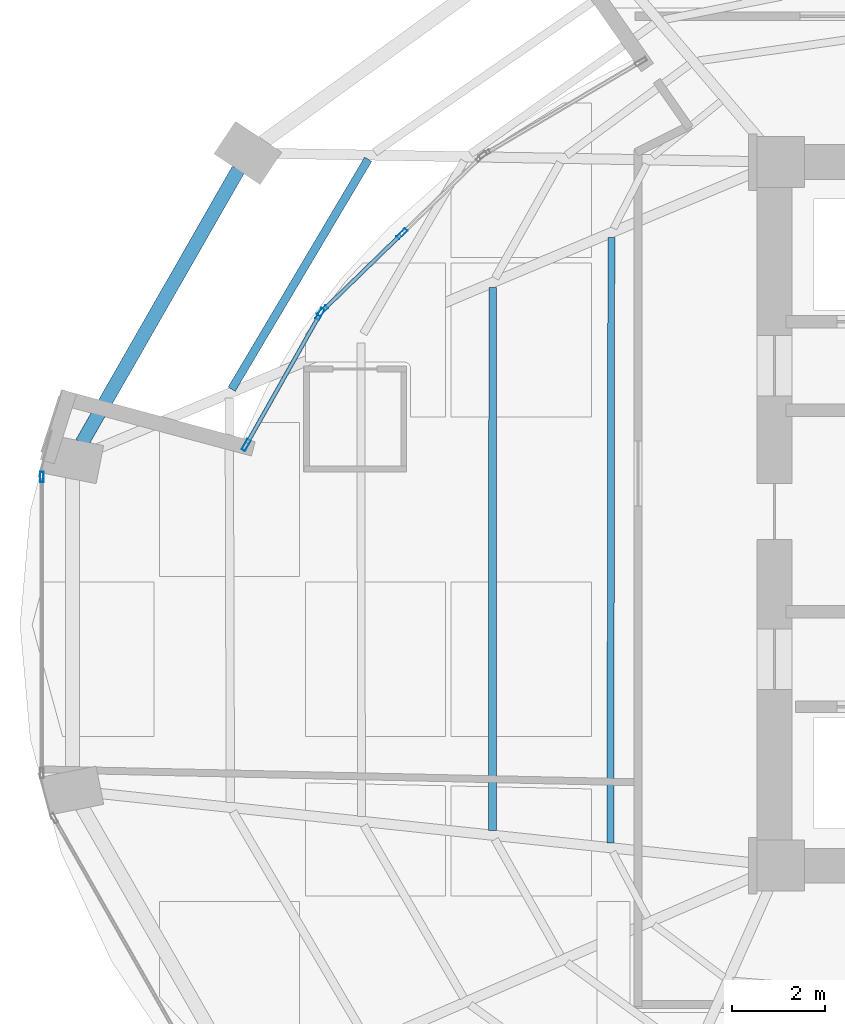
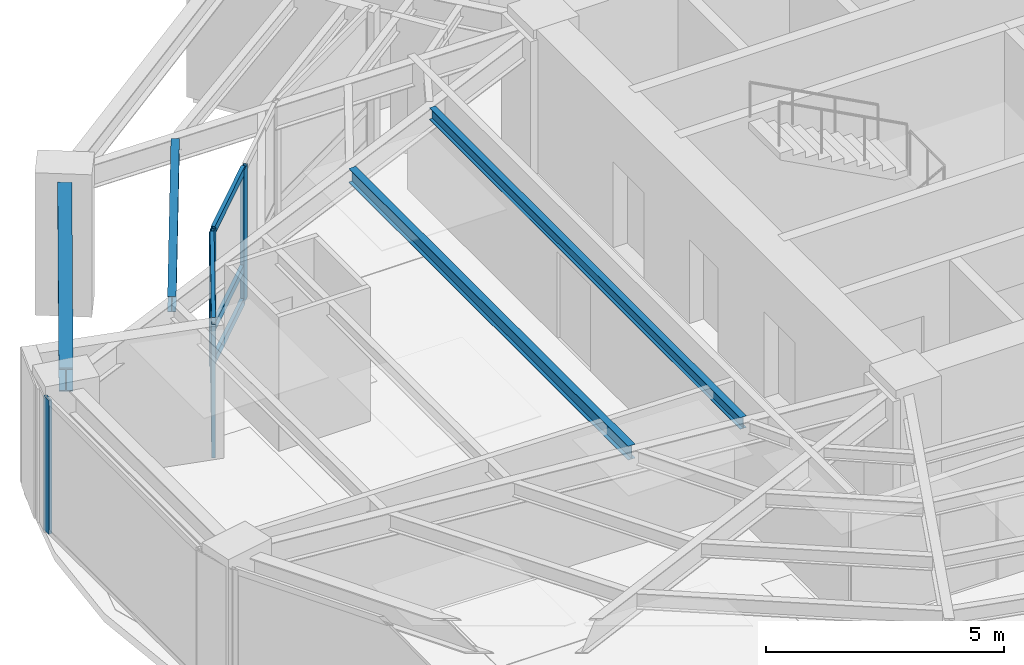
# One storey, part 8 of 24: 11 members, 4 beams, 3 elements without a shape of their own.
"""IFC4 building model written with IfcOpenShell, lengths in metres."""

from ifc_helpers import new_model, si_unit, direction, frame, origin, origin_2d, place, context, subcontext, project, spatial, hollow_rectangle, i_section, extrude, material, layer, layer_set, material_profile, profile_set, type_object, element, aggregate, save


model = new_model("IFC4")

# Units and contexts
model_context = context("Model", 3, precision=1e-05, world=origin(), true_north=direction((0.0, 1.0)))
body_context = subcontext(model_context, "Body", "Model", "MODEL_VIEW")
ifc_project = project(units=[si_unit("LENGTHUNIT", "METRE"), si_unit("AREAUNIT", "SQUARE_METRE"), si_unit("VOLUMEUNIT", "CUBIC_METRE"), si_unit("PLANEANGLEUNIT", "RADIAN"), si_unit("MASSUNIT", "GRAM", prefix="KILO")], contexts=[model_context])

# Site, building, storey
site_placement = place(None, origin())
site = spatial("IfcSite", under=ifc_project, at=site_placement, CompositionType="ELEMENT")
building_placement = place(site_placement, origin())
building = spatial("IfcBuilding", under=site, at=building_placement, Name="Lazwardi Medical Tower", CompositionType="ELEMENT")
storey_placement = place(building_placement, frame((0.0, 0.0, 118.22412109375)))
storey = spatial("IfcBuildingStorey", under=building, at=storey_placement, Name="L30", CompositionType="ELEMENT", Elevation=118.22412109375)

# Beams
ifc_material_1 = material(Name="Steel S355", Category="steel")
ifc_material_profile_1 = material_profile(ifc_material_1, i_section(OverallWidth=0.300048828125, OverallDepth=0.60009765625, WebThickness=0.015380859375, FlangeThickness=0.030029296875, at=origin_2d()), Name="HEB 600")
ifc_profile_set_1 = profile_set([ifc_material_profile_1], Name="Steel S355")
beam_type_1 = type_object("IfcBeamType", Name="BM-RB-Z2", PredefinedType="BEAM", material=ifc_profile_set_1)
beam_1_placement = place(storey_placement, frame((14.718505859375, 35.438720703125, 3.1279296875), z_axis=(-0.496653025517, -0.867949176072, 0.0), x_axis=(0.867949176072, -0.496653025517, 0.0)))
element("IfcBeam", 1, at=beam_1_placement, inside=storey, type_object=beam_type_1, Name="Ring beam RB-03 B11 L30", PredefinedType="BEAM", context=body_context, shape_type="SweptSolid", body=[
    extrude(i_section(OverallWidth=0.300048828125, OverallDepth=0.60009765625, WebThickness=0.015380859375, FlangeThickness=0.030029296875, at=origin_2d()), origin(), (0.0, 0.0, 1.0), 6.80078125),
])
ifc_material_profile_2 = material_profile(ifc_material_1, i_section(OverallWidth=0.179931640625, OverallDepth=0.39990234375, WebThickness=0.008544921875, FlangeThickness=0.013427734375, at=origin_2d()), Name="IPE 400")
ifc_profile_set_2 = profile_set([ifc_material_profile_2], Name="Steel S355")
beam_type_2 = type_object("IfcBeamType", Name="BM-SJ-01", PredefinedType="JOIST", material=ifc_profile_set_2)
beam_2_placement = place(storey_placement, frame((17.52099609375, 35.659423828125, 3.227783203125), z_axis=(-0.510499691073, -0.859877936346, 0.0), x_axis=(0.859877936346, -0.510499691073, 0.0)))
element("IfcBeam", 2, at=beam_2_placement, inside=storey, type_object=beam_type_2, Name="Secondary joist SJ-01 R1 B11 L30", PredefinedType="JOIST", context=body_context, shape_type="SweptSolid", body=[
    extrude(i_section(OverallWidth=0.179931640625, OverallDepth=0.39990234375, WebThickness=0.008544921875, FlangeThickness=0.013427734375, at=origin_2d()), origin(), (0.0, 0.0, 1.0), 5.776123046875),
])
ifc_material_profile_3 = material_profile(ifc_material_1, i_section(OverallWidth=0.169921875, OverallDepth=0.360107421875, WebThickness=0.008056640625, FlangeThickness=0.0126953125, at=origin_2d()), Name="IPE 360")
ifc_profile_set_3 = profile_set([ifc_material_profile_3], Name="Steel S355")
beam_type_3 = type_object("IfcBeamType", Name="BM-SJ-02", PredefinedType="JOIST", material=ifc_profile_set_3)
beam_3_placement = place(storey_placement, frame((20.212890625, 32.892578125, 3.247802734375), z_axis=(-0.000561961365, -0.9999998421, 0.0), x_axis=(0.9999998421, -0.000561961365, 0.0)))
element("IfcBeam", 3, at=beam_3_placement, inside=storey, type_object=beam_type_3, Name="Secondary joist SJ-02 R3 B12 L30", PredefinedType="JOIST", context=body_context, shape_type="SweptSolid", body=[
    extrude(i_section(OverallWidth=0.169921875, OverallDepth=0.360107421875, WebThickness=0.008056640625, FlangeThickness=0.0126953125, at=origin_2d()), origin(), (0.0, 0.0, 1.0), 11.72998046875),
])
ifc_material_profile_4 = material_profile(ifc_material_1, i_section(OverallWidth=0.14990234375, OverallDepth=0.300048828125, WebThickness=0.007080078125, FlangeThickness=0.0107421875, at=origin_2d()), Name="IPE 300")
ifc_profile_set_4 = profile_set([ifc_material_profile_4], Name="Steel S355")
beam_type_4 = type_object("IfcBeamType", Name="BM-SJ-03", PredefinedType="JOIST", material=ifc_profile_set_4)
beam_4_placement = place(storey_placement, frame((22.77490234375, 33.97021484375, 3.27783203125), z_axis=(-0.00156809843, -0.999998770533, 0.0), x_axis=(0.999998770533, -0.00156809843, 0.0)))
element("IfcBeam", 4, at=beam_4_placement, inside=storey, type_object=beam_type_4, Name="Secondary joist SJ-03 R4 B12 L30", PredefinedType="JOIST", context=body_context, shape_type="SweptSolid", body=[
    extrude(i_section(OverallWidth=0.14990234375, OverallDepth=0.300048828125, WebThickness=0.007080078125, FlangeThickness=0.0107421875, at=origin_2d()), origin(), (0.0, 0.0, 1.0), 13.078125),
])

# Curtain wall, member
ifc_material_2 = material(Name="Anodised bronze aluminium and solar control glazing", Category="aluminium")
ifc_layer_1 = layer(ifc_material_2, 0.195068359375)
ifc_layer_set_1 = layer_set([ifc_layer_1], Name="Anodised bronze aluminium and solar control glazing")
curtain_wall_type_1 = type_object("IfcCurtainWallType", Name="CW-SYS-03", PredefinedType="NOTDEFINED", material=ifc_layer_set_1)
curtain_wall_1_placement = place(storey_placement, origin())
curtain_wall_1 = element("IfcCurtainWall", 5, at=curtain_wall_1_placement, inside=storey, type_object=curtain_wall_type_1, Name="L30 Unitised bronze curtain wall CW-03", PredefinedType="NOTDEFINED")
ifc_material_3 = material(Name="Anodised bronze aluminium", Category="aluminium")
ifc_material_profile_5 = material_profile(ifc_material_3, hollow_rectangle(XDim=0.074951171875, YDim=0.219970703125, WallThickness=0.00390625, at=origin_2d()), Name="ALU-MULLION 220x75x4")
ifc_profile_set_5 = profile_set([ifc_material_profile_5], Name="Anodised bronze aluminium")
member_type_1 = type_object("IfcMemberType", Name="CW-MUL-01", PredefinedType="MULLION", material=ifc_profile_set_5)
member_1_placement = place(storey_placement, frame((10.471923828125, 28.79736328125, 0.0), z_axis=(0.0, 0.0, 1.0), x_axis=(1.0, 0.0, 0.0)))
member_1 = element("IfcMember", 6, at=member_1_placement, type_object=member_type_1, Name="CW-03 mullion 1", PredefinedType="MULLION", context=body_context, shape_type="SweptSolid", body=[
    extrude(hollow_rectangle(XDim=0.074951171875, YDim=0.219970703125, WallThickness=0.00390625, at=origin_2d()), origin(), (0.0, 0.0, 1.0), 3.427978515625),
])
aggregate(curtain_wall_1, [member_1])

# Curtain wall, members
ifc_layer_2 = layer(ifc_material_2, 0.239990234375)
ifc_layer_set_2 = layer_set([ifc_layer_2], Name="Anodised bronze aluminium and solar control glazing")
curtain_wall_type_2 = type_object("IfcCurtainWallType", Name="CW-SYS-05", PredefinedType="NOTDEFINED", material=ifc_layer_set_2)
curtain_wall_2_placement = place(storey_placement, origin())
curtain_wall_2 = element("IfcCurtainWall", 7, at=curtain_wall_2_placement, inside=storey, type_object=curtain_wall_type_2, Name="L30 Unitised bronze curtain wall CW-05", PredefinedType="NOTDEFINED")
ifc_material_profile_6 = material_profile(ifc_material_3, hollow_rectangle(XDim=0.0849609375, YDim=0.260009765625, WallThickness=0.0048828125, at=origin_2d()), Name="ALU-MULLION 260x85x5")
ifc_profile_set_6 = profile_set([ifc_material_profile_6], Name="Anodised bronze aluminium")
member_type_2 = type_object("IfcMemberType", Name="CW-MUL-02", PredefinedType="MULLION", material=ifc_profile_set_6)
member_2_placement = place(storey_placement, frame((16.48388671875, 32.318359375, 0.0), z_axis=(0.0, 0.0, 1.0), x_axis=(0.870845840727, -0.491556224341, 0.0)))
member_2 = element("IfcMember", 8, at=member_2_placement, type_object=member_type_2, Name="CW-05 mullion 1", PredefinedType="MULLION", context=body_context, shape_type="SweptSolid", body=[
    extrude(hollow_rectangle(XDim=0.0849609375, YDim=0.260009765625, WallThickness=0.0048828125, at=origin_2d()), origin(), (0.0, 0.0, 1.0), 3.427978515625),
])
member_3_placement = place(storey_placement, frame((14.886474609375, 29.48828125, 0.0), z_axis=(0.0, 0.0, 1.0), x_axis=(0.870845840727, -0.491556224341, 0.0)))
member_3 = element("IfcMember", 9, at=member_3_placement, type_object=member_type_2, Name="CW-05 mullion 2", PredefinedType="MULLION", context=body_context, shape_type="SweptSolid", body=[
    extrude(hollow_rectangle(XDim=0.0849609375, YDim=0.260009765625, WallThickness=0.0048828125, at=origin_2d()), origin(), (0.0, 0.0, 1.0), 3.427978515625),
])

curtain_wall_3_placement = place(storey_placement, origin())
curtain_wall_3 = element("IfcCurtainWall", 10, at=curtain_wall_3_placement, inside=storey, type_object=curtain_wall_type_2, Name="L30 Unitised bronze curtain wall CW-05", PredefinedType="NOTDEFINED")
member_4_placement = place(storey_placement, frame((18.25146484375, 34.0517578125, 0.0), z_axis=(0.0, 0.0, 1.0), x_axis=(0.696712326756, -0.717350635147, 0.0)))
member_4 = element("IfcMember", 11, at=member_4_placement, type_object=member_type_2, Name="CW-05 mullion 2", PredefinedType="MULLION", context=body_context, shape_type="SweptSolid", body=[
    extrude(hollow_rectangle(XDim=0.0849609375, YDim=0.260009765625, WallThickness=0.0048828125, at=origin_2d()), origin(), (0.0, 0.0, 1.0), 3.427978515625),
])
member_5_placement = place(storey_placement, frame((16.535400390625, 32.385009765625, 0.0), z_axis=(0.0, 0.0, 1.0), x_axis=(0.696712326756, -0.717350635147, 0.0)))
member_5 = element("IfcMember", 12, at=member_5_placement, type_object=member_type_2, Name="CW-05 mullion 3", PredefinedType="MULLION", context=body_context, shape_type="SweptSolid", body=[
    extrude(hollow_rectangle(XDim=0.0849609375, YDim=0.260009765625, WallThickness=0.0048828125, at=origin_2d()), origin(), (0.0, 0.0, 1.0), 3.427978515625),
])

# Member
ifc_material_profile_7 = material_profile(ifc_material_3, hollow_rectangle(XDim=0.0849609375, YDim=0.199951171875, WallThickness=0.00439453125, at=origin_2d()), Name="ALU-TRANSOM 200x85x4.5")
ifc_profile_set_7 = profile_set([ifc_material_profile_7], Name="Anodised bronze aluminium")
member_type_3 = type_object("IfcMemberType", Name="CW-TRN-02", PredefinedType="USERDEFINED", material=ifc_profile_set_7)
member_6_placement = place(storey_placement, frame((16.463134765625, 32.281494140625, 0.04248046875), z_axis=(-0.491571725412, -0.870837090836, 0.0), x_axis=(0.870837090836, -0.491571725412, 0.0)))
member_6 = element("IfcMember", 13, at=member_6_placement, type_object=member_type_3, Name="CW-05 transom 1.1", ObjectType="TRANSOM", PredefinedType="USERDEFINED", context=body_context, shape_type="SweptSolid", body=[
    extrude(hollow_rectangle(XDim=0.0849609375, YDim=0.199951171875, WallThickness=0.00439453125, at=origin_2d()), origin(), (0.0, 0.0, 1.0), 3.165283203125),
])

member_7_placement = place(storey_placement, frame((16.463134765625, 32.281494140625, 0.89990234375), z_axis=(-0.491571725412, -0.870837090836, 0.0), x_axis=(0.870837090836, -0.491571725412, 0.0)))
member_7 = element("IfcMember", 14, at=member_7_placement, type_object=member_type_3, Name="CW-05 transom 1.2", ObjectType="TRANSOM", PredefinedType="USERDEFINED", context=body_context, shape_type="SweptSolid", body=[
    extrude(hollow_rectangle(XDim=0.0849609375, YDim=0.199951171875, WallThickness=0.00439453125, at=origin_2d()), origin(), (0.0, 0.0, 1.0), 3.165283203125),
])

member_8_placement = place(storey_placement, frame((16.463134765625, 32.281494140625, 3.385498046875), z_axis=(-0.491571725412, -0.870837090836, 0.0), x_axis=(0.870837090836, -0.491571725412, 0.0)))
member_8 = element("IfcMember", 15, at=member_8_placement, type_object=member_type_3, Name="CW-05 transom 1.3", ObjectType="TRANSOM", PredefinedType="USERDEFINED", context=body_context, shape_type="SweptSolid", body=[
    extrude(hollow_rectangle(XDim=0.0849609375, YDim=0.199951171875, WallThickness=0.00439453125, at=origin_2d()), origin(), (0.0, 0.0, 1.0), 3.165283203125),
])

aggregate(curtain_wall_2, [member_2, member_3, member_6, member_7, member_8])

member_9_placement = place(storey_placement, frame((18.220947265625, 34.022216796875, 0.04248046875), z_axis=(-0.71734736538, -0.696715693366, 0.0), x_axis=(0.696715693366, -0.71734736538, 0.0)))
member_9 = element("IfcMember", 16, at=member_9_placement, type_object=member_type_3, Name="CW-05 transom 2.1", ObjectType="TRANSOM", PredefinedType="USERDEFINED", context=body_context, shape_type="SweptSolid", body=[
    extrude(hollow_rectangle(XDim=0.0849609375, YDim=0.199951171875, WallThickness=0.00439453125, at=origin_2d()), origin(), (0.0, 0.0, 1.0), 2.307373046875),
])

member_10_placement = place(storey_placement, frame((18.220947265625, 34.022216796875, 0.89990234375), z_axis=(-0.71734736538, -0.696715693366, 0.0), x_axis=(0.696715693366, -0.71734736538, 0.0)))
member_10 = element("IfcMember", 17, at=member_10_placement, type_object=member_type_3, Name="CW-05 transom 2.2", ObjectType="TRANSOM", PredefinedType="USERDEFINED", context=body_context, shape_type="SweptSolid", body=[
    extrude(hollow_rectangle(XDim=0.0849609375, YDim=0.199951171875, WallThickness=0.00439453125, at=origin_2d()), origin(), (0.0, 0.0, 1.0), 2.307373046875),
])

member_11_placement = place(storey_placement, frame((18.220947265625, 34.022216796875, 3.385498046875), z_axis=(-0.71734736538, -0.696715693366, 0.0), x_axis=(0.696715693366, -0.71734736538, 0.0)))
member_11 = element("IfcMember", 18, at=member_11_placement, type_object=member_type_3, Name="CW-05 transom 2.3", ObjectType="TRANSOM", PredefinedType="USERDEFINED", context=body_context, shape_type="SweptSolid", body=[
    extrude(hollow_rectangle(XDim=0.0849609375, YDim=0.199951171875, WallThickness=0.00439453125, at=origin_2d()), origin(), (0.0, 0.0, 1.0), 2.307373046875),
])

aggregate(curtain_wall_3, [member_4, member_5, member_9, member_10, member_11])

save(model, "model.ifc")
